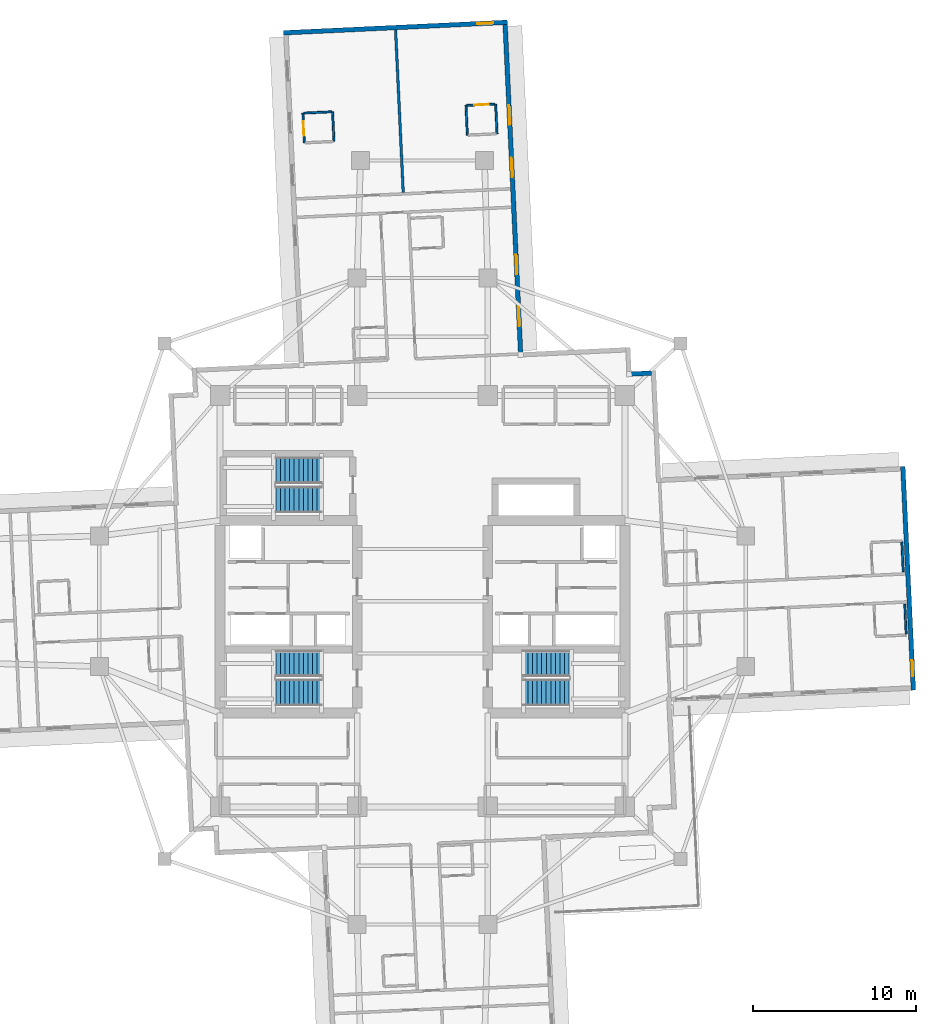
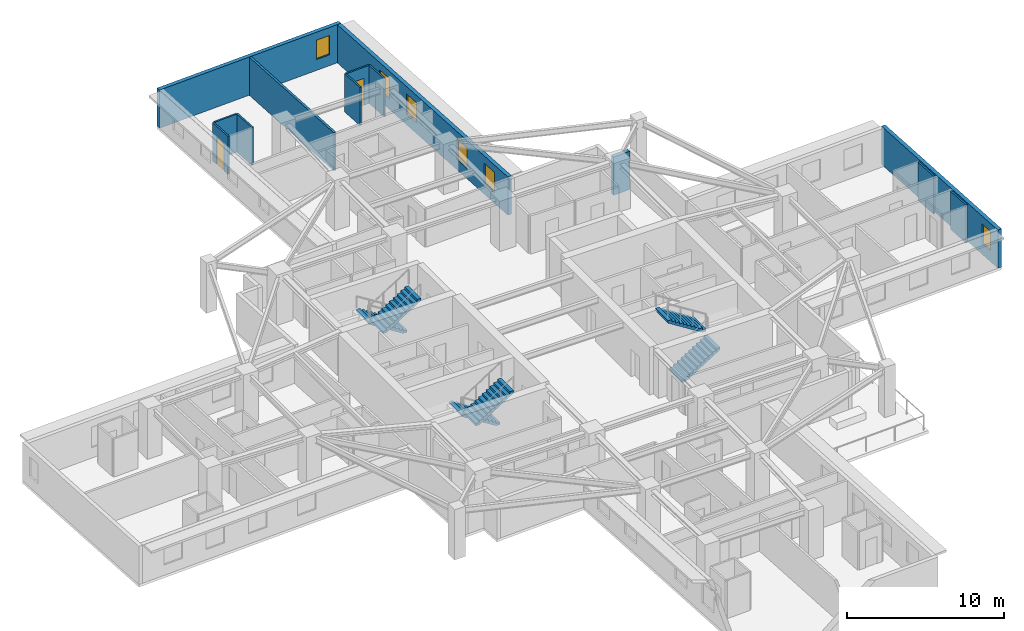
# One storey, part 9 of 14: 13 walls, 6 stair flights, 6 windows, 2 doors, 8 openings, 3 elements without a shape of their own.
"""IFC4 building model written with IfcOpenShell, lengths in metres."""

from ifc_helpers import new_model, si_unit, direction, frame, frame_2d, origin, place, context, subcontext, project, spatial, polyline, rectangle, outline, extrude, material, layer, layer_set, type_object, element, fill, aggregate, save


model = new_model("IFC4")

# Units and contexts
model_context = context("Model", 3, precision=1e-05, world=origin(), true_north=direction((0.0, 1.0)))
body_context = subcontext(model_context, "Body", "Model", "MODEL_VIEW")
ifc_project = project(units=[si_unit("LENGTHUNIT", "METRE"), si_unit("AREAUNIT", "SQUARE_METRE"), si_unit("VOLUMEUNIT", "CUBIC_METRE"), si_unit("PLANEANGLEUNIT", "RADIAN"), si_unit("MASSUNIT", "GRAM", prefix="KILO")], contexts=[model_context])

# Site, building, storey
site_placement = place(None, origin())
site = spatial("IfcSite", under=ifc_project, at=site_placement, CompositionType="ELEMENT")
building_placement = place(site_placement, origin())
building = spatial("IfcBuilding", under=site, at=building_placement, Name="Qingluan Cross Belvedere", CompositionType="ELEMENT")
storey_placement = place(building_placement, frame((0.0, 0.0, 116.39990234375)))
storey = spatial("IfcBuildingStorey", under=building, at=storey_placement, Name="L29", CompositionType="ELEMENT", Elevation=116.39990234375)

# Walls
ifc_material_1 = material(Name="Gypsum plasterboard on steel stud acoustic partition", Category="steel")
ifc_layer_1 = layer(ifc_material_1, 0.159912109375, Name="CorridorPartition_160")
ifc_layer_set_1 = layer_set([ifc_layer_1], Name="Gypsum plasterboard on steel stud acoustic partition")
wall_type_1 = type_object("IfcWallType", Name="CorridorPartition_160", PredefinedType="PARTITIONING", material=ifc_layer_set_1)
wall_1_placement = place(storey_placement, frame((-1.180908203125, 25.042236328125, 0.0), z_axis=(0.0, 0.0, 1.0), x_axis=(-0.047102889239, 0.99889004291, 0.0)))
element("IfcWall", 1, at=wall_1_placement, inside=storey, type_object=wall_type_1, Name="Partition L29:Ncap:mid", PredefinedType="PARTITIONING", context=body_context, shape_type="SweptSolid", body=[
    extrude(rectangle(XDim=9.9619140625, YDim=0.159912109375, at=frame_2d((4.98095703125, 0.0))), origin(), (0.0, 0.0, 1.0), 2.960205078125),
])
ifc_material_2 = material(Name="Moisture-resistant gypsum board lining")
ifc_layer_2 = layer(ifc_material_2, 0.1201171875, Name="EnsuiteWetPartition_120")
ifc_layer_set_2 = layer_set([ifc_layer_2], Name="Moisture-resistant gypsum board lining")
wall_type_2 = type_object("IfcWallType", Name="EnsuiteWetPartition_120", PredefinedType="PARTITIONING", material=ifc_layer_set_2)
wall_2_placement = place(storey_placement, frame((29.447509765625, 1.80908203125, 0.0), z_axis=(0.0, 0.0, 1.0), x_axis=(-0.047080807099, 0.998891083954, 0.0)))
element("IfcWall", 2, at=wall_2_placement, inside=storey, type_object=wall_type_2, Name="Partition L29:E:bw0_1", PredefinedType="PARTITIONING", context=body_context, shape_type="SweptSolid", body=[
    extrude(rectangle(XDim=1.820068359375, YDim=0.1201171875, at=frame_2d((0.91015625, 0.0))), origin(), (0.0, 0.0, 1.0), 2.960205078125),
])
wall_3_placement = place(storey_placement, frame((29.62744140625, -2.006591796875, 0.0), z_axis=(0.0, 0.0, 1.0), x_axis=(-0.047087116047, 0.998890786574, 0.0)))
element("IfcWall", 3, at=wall_3_placement, inside=storey, type_object=wall_type_2, Name="Partition L29:E:bw1_1", PredefinedType="PARTITIONING", context=body_context, shape_type="SweptSolid", body=[
    extrude(rectangle(XDim=1.81982421875, YDim=0.1201171875, at=frame_2d((0.909912109375, 0.0))), origin(), (0.0, 0.0, 1.0), 2.960205078125),
])

# Wall, opening, door
wall_4_placement = place(storey_placement, frame((-7.24072265625, 28.080078125, 0.0), z_axis=(0.0, 0.0, 1.0), x_axis=(-0.047080807099, 0.998891083954, 0.0)))
wall_4 = element("IfcWall", 4, at=wall_4_placement, inside=storey, type_object=wall_type_2, Name="Partition L29:Ncap:b1s", PredefinedType="PARTITIONING", context=body_context, shape_type="SweptSolid", body=[
    extrude(rectangle(XDim=1.820068359375, YDim=0.1201171875, at=frame_2d((0.91015625, 0.0))), origin(), (0.0, 0.0, 1.0), 2.960205078125),
])
opening_1_placement = place(wall_4_placement, frame((0.449951171875, 0.0, 0.0)))
opening_1 = element("IfcOpeningElement", 5, at=opening_1_placement, cuts=wall_4, Name="Opening BD-09", PredefinedType="OPENING", context=body_context, shape_type="SweptSolid", body=[
    extrude(rectangle(XDim=0.8798828125, YDim=2.10009765625, at=frame_2d((0.43994140625, 1.050048828125))), frame((0.0, 0.070068359375, 0.0), z_axis=(0.0, -1.0, 0.0), x_axis=(1.0, 0.0, 0.0)), (0.0, 0.0, 1.0), 0.14013671875),
])
ifc_material_3 = material(Name="Moisture-sealed timber en-suite door", Category="wood")
door_type = type_object("IfcDoorType", Name="BathroomDoor_880", OperationType="NOTDEFINED", PredefinedType="DOOR", material=ifc_material_3)
door_1_placement = place(opening_1_placement, origin())
door_1 = element("IfcDoor", 6, at=door_1_placement, inside=storey, type_object=door_type, Name="En-suite bathroom door L29N1", OperationType="SINGLE_SWING_RIGHT", OverallHeight=2.10009765625, OverallWidth=0.8798828125, PredefinedType="DOOR", context=body_context, shape_type="SweptSolid", body=[
    extrude(rectangle(XDim=0.8798828125, YDim=2.10009765625, at=frame_2d((0.43994140625, 1.050048828125))), frame((0.0, 0.02490234375, 0.0), z_axis=(0.0, -1.0, 0.0), x_axis=(1.0, 0.0, 0.0)), (0.0, 0.0, 1.0), 0.050048828125),
])
fill(opening_1, door_1)

# Walls
wall_5_placement = place(storey_placement, frame((-5.4228515625, 28.165771484375, 0.0), z_axis=(0.0, 0.0, 1.0), x_axis=(-0.047080807099, 0.998891083954, 0.0)))
element("IfcWall", 7, at=wall_5_placement, inside=storey, type_object=wall_type_2, Name="Partition L29:Ncap:b1b", PredefinedType="PARTITIONING", context=body_context, shape_type="SweptSolid", body=[
    extrude(rectangle(XDim=1.820068359375, YDim=0.1201171875, at=frame_2d((0.91015625, 0.0))), origin(), (0.0, 0.0, 1.0), 2.960205078125),
])
wall_6_placement = place(storey_placement, frame((-7.2666015625, 29.90087890625, 0.0), z_axis=(0.0, 0.0, 1.0), x_axis=(0.998889803826, 0.047107959116, 0.0)))
element("IfcWall", 8, at=wall_6_placement, inside=storey, type_object=wall_type_2, Name="Partition L29:Ncap:b1n", PredefinedType="PARTITIONING", context=body_context, shape_type="SweptSolid", body=[
    extrude(rectangle(XDim=1.699951171875, YDim=0.1201171875, at=frame_2d((0.85009765625, 0.0))), origin(), (0.0, 0.0, 1.0), 2.960205078125),
])
wall_7_placement = place(storey_placement, frame((2.748046875, 28.551025390625, 0.0), z_axis=(0.0, 0.0, 1.0), x_axis=(-0.047080807099, 0.998891083954, 0.0)))
element("IfcWall", 9, at=wall_7_placement, inside=storey, type_object=wall_type_2, Name="Partition L29:Ncap:b2s", PredefinedType="PARTITIONING", context=body_context, shape_type="SweptSolid", body=[
    extrude(rectangle(XDim=1.820068359375, YDim=0.1201171875, at=frame_2d((0.91015625, 0.0))), origin(), (0.0, 0.0, 1.0), 2.960205078125),
])
wall_8_placement = place(storey_placement, frame((4.566162109375, 28.636962890625, 0.0), z_axis=(0.0, 0.0, 1.0), x_axis=(-0.047087116047, 0.998890786574, 0.0)))
element("IfcWall", 10, at=wall_8_placement, inside=storey, type_object=wall_type_2, Name="Partition L29:Ncap:b2b", PredefinedType="PARTITIONING", context=body_context, shape_type="SweptSolid", body=[
    extrude(rectangle(XDim=1.81982421875, YDim=0.1201171875, at=frame_2d((0.909912109375, 0.0))), origin(), (0.0, 0.0, 1.0), 2.960205078125),
])

# Wall, opening, door
wall_9_placement = place(storey_placement, frame((2.722412109375, 30.3720703125, 0.0), z_axis=(0.0, 0.0, 1.0), x_axis=(0.998896551812, 0.046964654557, 0.0)))
wall_9 = element("IfcWall", 11, at=wall_9_placement, inside=storey, type_object=wall_type_2, Name="Partition L29:Ncap:b2n", PredefinedType="PARTITIONING", context=body_context, shape_type="SweptSolid", body=[
    extrude(rectangle(XDim=1.699951171875, YDim=0.1201171875, at=frame_2d((0.85009765625, 0.0))), origin(), (0.0, 0.0, 1.0), 2.960205078125),
])
opening_2_placement = place(wall_9_placement, frame((0.449951171875, 0.0, 0.0)))
opening_2 = element("IfcOpeningElement", 12, at=opening_2_placement, cuts=wall_9, Name="Opening BD-09", PredefinedType="OPENING", context=body_context, shape_type="SweptSolid", body=[
    extrude(rectangle(XDim=0.8798828125, YDim=2.10009765625, at=frame_2d((0.43994140625, 1.050048828125))), frame((0.0, 0.070068359375, 0.0), z_axis=(0.0, -1.0, 0.0), x_axis=(1.0, 0.0, 0.0)), (0.0, 0.0, 1.0), 0.14013671875),
])
door_2_placement = place(opening_2_placement, origin())
door_2 = element("IfcDoor", 13, at=door_2_placement, inside=storey, type_object=door_type, Name="En-suite bathroom door L29N2", OperationType="SINGLE_SWING_RIGHT", OverallHeight=2.10009765625, OverallWidth=0.8798828125, PredefinedType="DOOR", context=body_context, shape_type="SweptSolid", body=[
    extrude(rectangle(XDim=0.8798828125, YDim=2.10009765625, at=frame_2d((0.43994140625, 1.050048828125))), frame((0.0, 0.02490234375, 0.0), z_axis=(0.0, -1.0, 0.0), x_axis=(1.0, 0.0, 0.0)), (0.0, 0.0, 1.0), 0.050048828125),
])
fill(opening_2, door_2)

# Wall, opening, window
ifc_material_4 = material(Name="Precast concrete C45", Category="concrete")
ifc_layer_3 = layer(ifc_material_4, 0.280029296875, Name="PrecastFacadeWall_280")
ifc_layer_set_3 = layer_set([ifc_layer_3], Name="Precast concrete C45")
wall_type_3 = type_object("IfcWallType", Name="PrecastFacadeWall_280", PredefinedType="STANDARD", material=ifc_layer_set_3)
wall_10_placement = place(storey_placement, frame((30.070068359375, -5.44970703125, 0.0), z_axis=(0.0, 0.0, 1.0), x_axis=(-0.047101845086, 0.998890092147, 0.0)))
wall_10 = element("IfcWall", 14, at=wall_10_placement, inside=storey, type_object=wall_type_3, Name="Arm tip precast facade wall L29-E", PredefinedType="STANDARD", context=body_context, shape_type="SweptSolid", body=[
    extrude(rectangle(XDim=13.719970703125, YDim=0.280029296875, at=frame_2d((6.85986328125, 0.0))), origin(), (0.0, 0.0, 1.0), 2.97021484375),
])
opening_3_placement = place(wall_10_placement, frame((0.85009765625, 0.0, 0.85009765625)))
opening_3 = element("IfcOpeningElement", 15, at=opening_3_placement, cuts=wall_10, Name="Opening W-03", PredefinedType="OPENING", context=body_context, shape_type="SweptSolid", body=[
    extrude(rectangle(XDim=1.0, YDim=1.5, at=frame_2d((0.5, 0.75))), frame((0.0, 0.14990234375, 0.0), z_axis=(0.0, -1.0, 0.0), x_axis=(1.0, 0.0, 0.0)), (0.0, 0.0, 1.0), 0.300048828125),
])
ifc_material_5 = material(Name="Thermally broken triple Low-E glass in aluminium frame", Category="aluminium")
window_type_1 = type_object("IfcWindowType", Name="TriApexWin_1000x1500", PartitioningType="SINGLE_PANEL", PredefinedType="WINDOW", material=ifc_material_5)
window_1_placement = place(opening_3_placement, origin())
window_1 = element("IfcWindow", 16, at=window_1_placement, inside=storey, type_object=window_type_1, Name="Arm tip triangular window L29-E", OverallHeight=1.5, OverallWidth=1.0, PartitioningType="SINGLE_PANEL", PredefinedType="WINDOW", context=body_context, shape_type="SweptSolid", body=[
    extrude(rectangle(XDim=1.0, YDim=1.5, at=frame_2d((0.5, 0.75))), frame((0.0, 0.030029296875, 0.0), z_axis=(0.0, -1.0, 0.0), x_axis=(1.0, 0.0, 0.0)), (0.0, 0.0, 1.0), 0.06005859375),
])
fill(opening_3, window_1)

# Wall, openings, windows
wall_11_placement = place(storey_placement, frame((6.0087890625, 15.239990234375, 0.0), z_axis=(0.0, 0.0, 1.0), x_axis=(-0.047103473814, 0.998890015344, 0.0)))
wall_11 = element("IfcWall", 17, at=wall_11_placement, inside=storey, type_object=wall_type_3, Name="Facade wall L29-NA", PredefinedType="STANDARD", context=body_context, shape_type="SweptSolid", body=[
    extrude(rectangle(XDim=20.099853515625, YDim=0.280029296875, at=frame_2d((10.0498046875, 0.0))), origin(), (0.0, 0.0, 1.0), 2.97021484375),
])
opening_4_placement = place(wall_11_placement, frame((1.60009765625, 0.0, 0.800048828125)))
opening_4 = element("IfcOpeningElement", 18, at=opening_4_placement, cuts=wall_11, Name="Opening W-02", PredefinedType="OPENING", context=body_context, shape_type="SweptSolid", body=[
    extrude(rectangle(XDim=1.199951171875, YDim=1.60009765625, at=frame_2d((0.60009765625, 0.800048828125))), frame((0.0, 0.14990234375, 0.0), z_axis=(0.0, -1.0, 0.0), x_axis=(1.0, 0.0, 0.0)), (0.0, 0.0, 1.0), 0.300048828125),
])
opening_5_placement = place(wall_11_placement, frame((4.800048828125, 0.0, 0.800048828125)))
opening_5 = element("IfcOpeningElement", 19, at=opening_5_placement, cuts=wall_11, Name="Opening W-02", PredefinedType="OPENING", context=body_context, shape_type="SweptSolid", body=[
    extrude(rectangle(XDim=1.199951171875, YDim=1.60009765625, at=frame_2d((0.60009765625, 0.800048828125))), frame((0.0, 0.14990234375, 0.0), z_axis=(0.0, -1.0, 0.0), x_axis=(1.0, 0.0, 0.0)), (0.0, 0.0, 1.0), 0.300048828125),
])
opening_6_placement = place(wall_11_placement, frame((10.75, 0.0, 0.800048828125)))
opening_6 = element("IfcOpeningElement", 20, at=opening_6_placement, cuts=wall_11, Name="Opening W-02", PredefinedType="OPENING", context=body_context, shape_type="SweptSolid", body=[
    extrude(rectangle(XDim=1.199951171875, YDim=1.60009765625, at=frame_2d((0.60009765625, 0.800048828125))), frame((0.0, 0.14990234375, 0.0), z_axis=(0.0, -1.0, 0.0), x_axis=(1.0, 0.0, 0.0)), (0.0, 0.0, 1.0), 0.300048828125),
])
opening_7_placement = place(wall_11_placement, frame((13.949951171875, 0.0, 0.800048828125)))
opening_7 = element("IfcOpeningElement", 21, at=opening_7_placement, cuts=wall_11, Name="Opening W-02", PredefinedType="OPENING", context=body_context, shape_type="SweptSolid", body=[
    extrude(rectangle(XDim=1.199951171875, YDim=1.60009765625, at=frame_2d((0.60009765625, 0.800048828125))), frame((0.0, 0.14990234375, 0.0), z_axis=(0.0, -1.0, 0.0), x_axis=(1.0, 0.0, 0.0)), (0.0, 0.0, 1.0), 0.300048828125),
])
ifc_material_6 = material(Name="Thermally broken triple Low-E glass in aluminium frame", Category="aluminium")
window_type_2 = type_object("IfcWindowType", Name="TriRibbonWin_1200x1600", PartitioningType="SINGLE_PANEL", PredefinedType="WINDOW", material=ifc_material_6)
window_2_placement = place(opening_4_placement, origin())
window_2 = element("IfcWindow", 22, at=window_2_placement, inside=storey, type_object=window_type_2, Name="Ribbon window L29-NA-1", OverallHeight=1.60009765625, OverallWidth=1.199951171875, PartitioningType="SINGLE_PANEL", PredefinedType="WINDOW", context=body_context, shape_type="SweptSolid", body=[
    extrude(rectangle(XDim=1.199951171875, YDim=1.60009765625, at=frame_2d((0.60009765625, 0.800048828125))), frame((0.0, 0.030029296875, 0.0), z_axis=(0.0, -1.0, 0.0), x_axis=(1.0, 0.0, 0.0)), (0.0, 0.0, 1.0), 0.06005859375),
])
fill(opening_4, window_2)
window_3_placement = place(opening_5_placement, origin())
window_3 = element("IfcWindow", 23, at=window_3_placement, inside=storey, type_object=window_type_2, Name="Ribbon window L29-NA-2", OverallHeight=1.60009765625, OverallWidth=1.199951171875, PartitioningType="SINGLE_PANEL", PredefinedType="WINDOW", context=body_context, shape_type="SweptSolid", body=[
    extrude(rectangle(XDim=1.199951171875, YDim=1.60009765625, at=frame_2d((0.60009765625, 0.800048828125))), frame((0.0, 0.030029296875, 0.0), z_axis=(0.0, -1.0, 0.0), x_axis=(1.0, 0.0, 0.0)), (0.0, 0.0, 1.0), 0.06005859375),
])
fill(opening_5, window_3)
window_4_placement = place(opening_6_placement, origin())
window_4 = element("IfcWindow", 24, at=window_4_placement, inside=storey, type_object=window_type_2, Name="Ribbon window L29-NA-3", OverallHeight=1.60009765625, OverallWidth=1.199951171875, PartitioningType="SINGLE_PANEL", PredefinedType="WINDOW", context=body_context, shape_type="SweptSolid", body=[
    extrude(rectangle(XDim=1.199951171875, YDim=1.60009765625, at=frame_2d((0.60009765625, 0.800048828125))), frame((0.0, 0.030029296875, 0.0), z_axis=(0.0, -1.0, 0.0), x_axis=(1.0, 0.0, 0.0)), (0.0, 0.0, 1.0), 0.06005859375),
])
fill(opening_6, window_4)
window_5_placement = place(opening_7_placement, origin())
window_5 = element("IfcWindow", 25, at=window_5_placement, inside=storey, type_object=window_type_2, Name="Ribbon window L29-NA-4", OverallHeight=1.60009765625, OverallWidth=1.199951171875, PartitioningType="SINGLE_PANEL", PredefinedType="WINDOW", context=body_context, shape_type="SweptSolid", body=[
    extrude(rectangle(XDim=1.199951171875, YDim=1.60009765625, at=frame_2d((0.60009765625, 0.800048828125))), frame((0.0, 0.030029296875, 0.0), z_axis=(0.0, -1.0, 0.0), x_axis=(1.0, 0.0, 0.0)), (0.0, 0.0, 1.0), 0.06005859375),
])
fill(opening_7, window_5)

# Wall, opening, window
wall_12_placement = place(storey_placement, frame((5.1953125, 35.464111328125, 0.0), z_axis=(0.0, 0.0, 1.0), x_axis=(-0.998890092147, -0.047101845086, 0.0)))
wall_12 = element("IfcWall", 26, at=wall_12_placement, inside=storey, type_object=wall_type_3, Name="Arm tip precast facade wall L29-N", PredefinedType="STANDARD", context=body_context, shape_type="SweptSolid", body=[
    extrude(rectangle(XDim=13.719970703125, YDim=0.280029296875, at=frame_2d((6.85986328125, 0.0))), origin(), (0.0, 0.0, 1.0), 2.97021484375),
])
opening_8_placement = place(wall_12_placement, frame((0.85009765625, 0.0, 0.85009765625)))
opening_8 = element("IfcOpeningElement", 27, at=opening_8_placement, cuts=wall_12, Name="Opening W-03", PredefinedType="OPENING", context=body_context, shape_type="SweptSolid", body=[
    extrude(rectangle(XDim=1.0, YDim=1.5, at=frame_2d((0.5, 0.75))), frame((0.0, 0.14990234375, 0.0), z_axis=(0.0, -1.0, 0.0), x_axis=(1.0, 0.0, 0.0)), (0.0, 0.0, 1.0), 0.300048828125),
])
window_6_placement = place(opening_8_placement, origin())
window_6 = element("IfcWindow", 28, at=window_6_placement, inside=storey, type_object=window_type_1, Name="Arm tip triangular window L29-N", OverallHeight=1.5, OverallWidth=1.0, PartitioningType="SINGLE_PANEL", PredefinedType="WINDOW", context=body_context, shape_type="SweptSolid", body=[
    extrude(rectangle(XDim=1.0, YDim=1.5, at=frame_2d((0.5, 0.75))), frame((0.0, 0.030029296875, 0.0), z_axis=(0.0, -1.0, 0.0), x_axis=(1.0, 0.0, 0.0)), (0.0, 0.0, 1.0), 0.06005859375),
])
fill(opening_8, window_6)

# Wall
wall_13_placement = place(storey_placement, frame((14.01708984375, 13.975830078125, 0.0), z_axis=(0.0, 0.0, 1.0), x_axis=(-0.998883930236, -0.047232339719, 0.0)))
element("IfcWall", 29, at=wall_13_placement, inside=storey, type_object=wall_type_3, Name="Corner wall L29-NE2", PredefinedType="STANDARD", context=body_context, shape_type="SweptSolid", body=[
    extrude(rectangle(XDim=1.219970703125, YDim=0.280029296875, at=frame_2d((0.60986328125, 0.0))), origin(), (0.0, 0.0, 1.0), 2.97021484375),
])

# Stair, stair flights
ifc_material_7 = material(Name="Concrete C40", Category="concrete")
stair_type = type_object("IfcStairType", Name="CoreDoglegStair_1620", PredefinedType="HALF_TURN_STAIR", material=ifc_material_7)
stair_1_placement = place(storey_placement, origin())
stair_1 = element("IfcStair", 30, at=stair_1_placement, inside=storey, type_object=stair_type, Name="L29 ST1", PredefinedType="HALF_TURN_STAIR")
ifc_material_8 = material(Name="Concrete C40", Category="concrete")
ifc_layer_4 = layer(ifc_material_8, 0.179931640625, Name="StairFlight_RC180")
ifc_layer_set_4 = layer_set([ifc_layer_4], Name="Concrete C40")
stair_flight_type = type_object("IfcStairFlightType", Name="StairFlight_RC180", PredefinedType="STRAIGHT", material=ifc_layer_set_4)
stair_flight_1_placement = place(storey_placement, frame((-6.179931640625, -3.81005859375, 0.0), z_axis=(0.0, 0.0, 1.0), x_axis=(-1.0, 0.0, 0.0)))
stair_flight_1 = element("IfcStairFlight", 31, at=stair_flight_1_placement, type_object=stair_flight_type, Name="ST1 flight 1", NumberOfRisers=11, NumberOfTreads=10, PredefinedType="STRAIGHT", RiserHeight=0.177272727, TreadLength=0.28, context=body_context, shape_type="SweptSolid", body=[
    extrude(outline(polyline([(0.0, 0.0), (0.0, 0.17724609375), (0.280029296875, 0.17724609375), (0.280029296875, 0.3544921875), (0.56005859375, 0.3544921875), (0.56005859375, 0.53173828125), (0.840087890625, 0.53173828125), (0.840087890625, 0.708984375), (1.1201171875, 0.708984375), (1.1201171875, 0.886474609375), (1.39990234375, 0.886474609375), (1.39990234375, 1.063720703125), (1.679931640625, 1.063720703125), (1.679931640625, 1.240966796875), (1.9599609375, 1.240966796875), (1.9599609375, 1.418212890625), (2.239990234375, 1.418212890625), (2.239990234375, 1.595458984375), (2.52001953125, 1.595458984375), (2.52001953125, 1.772705078125), (2.800048828125, 1.772705078125), (2.800048828125, 1.949951171875), (2.800048828125, 1.59521484375), (0.2802734375, 0.0), (0.0, 0.0)])), frame((0.0, 0.81005859375, 0.0), z_axis=(0.0, -1.0, 0.0), x_axis=(1.0, 0.0, 0.0)), (0.0, 0.0, 1.0), 1.6201171875),
])
stair_flight_2_placement = place(storey_placement, frame((-8.97998046875, -5.590087890625, 1.9501953125), z_axis=(0.0, 0.0, 1.0), x_axis=(1.0, 0.0, 0.0)))
stair_flight_2 = element("IfcStairFlight", 32, at=stair_flight_2_placement, type_object=stair_flight_type, Name="ST1 flight 2", NumberOfRisers=11, NumberOfTreads=10, PredefinedType="STRAIGHT", RiserHeight=0.177272727, TreadLength=0.28, context=body_context, shape_type="SweptSolid", body=[
    extrude(outline(polyline([(0.0, 0.0), (0.0, 0.17724609375), (0.280029296875, 0.17724609375), (0.280029296875, 0.3544921875), (0.56005859375, 0.3544921875), (0.56005859375, 0.53173828125), (0.840087890625, 0.53173828125), (0.840087890625, 0.708984375), (1.1201171875, 0.708984375), (1.1201171875, 0.886474609375), (1.39990234375, 0.886474609375), (1.39990234375, 1.063720703125), (1.679931640625, 1.063720703125), (1.679931640625, 1.240966796875), (1.9599609375, 1.240966796875), (1.9599609375, 1.418212890625), (2.239990234375, 1.418212890625), (2.239990234375, 1.595458984375), (2.52001953125, 1.595458984375), (2.52001953125, 1.772705078125), (2.800048828125, 1.772705078125), (2.800048828125, 1.949951171875), (2.800048828125, 1.59521484375), (0.2802734375, 0.0), (0.0, 0.0)])), frame((0.0, 0.81005859375, 0.0), z_axis=(0.0, -1.0, 0.0), x_axis=(1.0, 0.0, 0.0)), (0.0, 0.0, 1.0), 1.6201171875),
])
aggregate(stair_1, [stair_flight_1, stair_flight_2])

stair_2_placement = place(storey_placement, origin())
stair_2 = element("IfcStair", 33, at=stair_2_placement, inside=storey, type_object=stair_type, Name="L29 ST2", PredefinedType="HALF_TURN_STAIR")
stair_flight_3_placement = place(storey_placement, frame((6.179931640625, -5.590087890625, 0.0), z_axis=(0.0, 0.0, 1.0), x_axis=(1.0, 0.0, 0.0)))
stair_flight_3 = element("IfcStairFlight", 34, at=stair_flight_3_placement, type_object=stair_flight_type, Name="ST2 flight 1", NumberOfRisers=11, NumberOfTreads=10, PredefinedType="STRAIGHT", RiserHeight=0.177272727, TreadLength=0.28, context=body_context, shape_type="SweptSolid", body=[
    extrude(outline(polyline([(0.0, 0.0), (0.0, 0.17724609375), (0.280029296875, 0.17724609375), (0.280029296875, 0.3544921875), (0.56005859375, 0.3544921875), (0.56005859375, 0.53173828125), (0.840087890625, 0.53173828125), (0.840087890625, 0.708984375), (1.1201171875, 0.708984375), (1.1201171875, 0.886474609375), (1.39990234375, 0.886474609375), (1.39990234375, 1.063720703125), (1.679931640625, 1.063720703125), (1.679931640625, 1.240966796875), (1.9599609375, 1.240966796875), (1.9599609375, 1.418212890625), (2.239990234375, 1.418212890625), (2.239990234375, 1.595458984375), (2.52001953125, 1.595458984375), (2.52001953125, 1.772705078125), (2.800048828125, 1.772705078125), (2.800048828125, 1.949951171875), (2.800048828125, 1.59521484375), (0.2802734375, 0.0), (0.0, 0.0)])), frame((0.0, 0.81005859375, 0.0), z_axis=(0.0, -1.0, 0.0), x_axis=(1.0, 0.0, 0.0)), (0.0, 0.0, 1.0), 1.6201171875),
])
stair_flight_4_placement = place(storey_placement, frame((8.97998046875, -3.81005859375, 1.9501953125), z_axis=(0.0, 0.0, 1.0), x_axis=(-1.0, 0.0, 0.0)))
stair_flight_4 = element("IfcStairFlight", 35, at=stair_flight_4_placement, type_object=stair_flight_type, Name="ST2 flight 2", NumberOfRisers=11, NumberOfTreads=10, PredefinedType="STRAIGHT", RiserHeight=0.177272727, TreadLength=0.28, context=body_context, shape_type="SweptSolid", body=[
    extrude(outline(polyline([(0.0, 0.0), (0.0, 0.17724609375), (0.280029296875, 0.17724609375), (0.280029296875, 0.3544921875), (0.56005859375, 0.3544921875), (0.56005859375, 0.53173828125), (0.840087890625, 0.53173828125), (0.840087890625, 0.708984375), (1.1201171875, 0.708984375), (1.1201171875, 0.886474609375), (1.39990234375, 0.886474609375), (1.39990234375, 1.063720703125), (1.679931640625, 1.063720703125), (1.679931640625, 1.240966796875), (1.9599609375, 1.240966796875), (1.9599609375, 1.418212890625), (2.239990234375, 1.418212890625), (2.239990234375, 1.595458984375), (2.52001953125, 1.595458984375), (2.52001953125, 1.772705078125), (2.800048828125, 1.772705078125), (2.800048828125, 1.949951171875), (2.800048828125, 1.59521484375), (0.2802734375, 0.0), (0.0, 0.0)])), frame((0.0, 0.81005859375, 0.0), z_axis=(0.0, -1.0, 0.0), x_axis=(1.0, 0.0, 0.0)), (0.0, 0.0, 1.0), 1.6201171875),
])
aggregate(stair_2, [stair_flight_3, stair_flight_4])

stair_3_placement = place(storey_placement, origin())
stair_3 = element("IfcStair", 36, at=stair_3_placement, inside=storey, type_object=stair_type, Name="L29 ST3", PredefinedType="HALF_TURN_STAIR")
stair_flight_5_placement = place(storey_placement, frame((-6.179931640625, 8.010009765625, 0.0), z_axis=(0.0, 0.0, 1.0), x_axis=(-1.0, 0.0, 0.0)))
stair_flight_5 = element("IfcStairFlight", 37, at=stair_flight_5_placement, type_object=stair_flight_type, Name="ST3 flight 1", NumberOfRisers=11, NumberOfTreads=10, PredefinedType="STRAIGHT", RiserHeight=0.177272727, TreadLength=0.28, context=body_context, shape_type="SweptSolid", body=[
    extrude(outline(polyline([(0.0, 0.0), (0.0, 0.17724609375), (0.280029296875, 0.17724609375), (0.280029296875, 0.3544921875), (0.56005859375, 0.3544921875), (0.56005859375, 0.53173828125), (0.840087890625, 0.53173828125), (0.840087890625, 0.708984375), (1.1201171875, 0.708984375), (1.1201171875, 0.886474609375), (1.39990234375, 0.886474609375), (1.39990234375, 1.063720703125), (1.679931640625, 1.063720703125), (1.679931640625, 1.240966796875), (1.9599609375, 1.240966796875), (1.9599609375, 1.418212890625), (2.239990234375, 1.418212890625), (2.239990234375, 1.595458984375), (2.52001953125, 1.595458984375), (2.52001953125, 1.772705078125), (2.800048828125, 1.772705078125), (2.800048828125, 1.949951171875), (2.800048828125, 1.59521484375), (0.2802734375, 0.0), (0.0, 0.0)])), frame((0.0, 0.81005859375, 0.0), z_axis=(0.0, -1.0, 0.0), x_axis=(1.0, 0.0, 0.0)), (0.0, 0.0, 1.0), 1.6201171875),
])
stair_flight_6_placement = place(storey_placement, frame((-8.97998046875, 6.22998046875, 1.9501953125), z_axis=(0.0, 0.0, 1.0), x_axis=(1.0, 0.0, 0.0)))
stair_flight_6 = element("IfcStairFlight", 38, at=stair_flight_6_placement, type_object=stair_flight_type, Name="ST3 flight 2", NumberOfRisers=11, NumberOfTreads=10, PredefinedType="STRAIGHT", RiserHeight=0.177272727, TreadLength=0.28, context=body_context, shape_type="SweptSolid", body=[
    extrude(outline(polyline([(0.0, 0.0), (0.0, 0.17724609375), (0.280029296875, 0.17724609375), (0.280029296875, 0.3544921875), (0.56005859375, 0.3544921875), (0.56005859375, 0.53173828125), (0.840087890625, 0.53173828125), (0.840087890625, 0.708984375), (1.1201171875, 0.708984375), (1.1201171875, 0.886474609375), (1.39990234375, 0.886474609375), (1.39990234375, 1.063720703125), (1.679931640625, 1.063720703125), (1.679931640625, 1.240966796875), (1.9599609375, 1.240966796875), (1.9599609375, 1.418212890625), (2.239990234375, 1.418212890625), (2.239990234375, 1.595458984375), (2.52001953125, 1.595458984375), (2.52001953125, 1.772705078125), (2.800048828125, 1.772705078125), (2.800048828125, 1.949951171875), (2.800048828125, 1.59521484375), (0.2802734375, 0.0), (0.0, 0.0)])), frame((0.0, 0.81005859375, 0.0), z_axis=(0.0, -1.0, 0.0), x_axis=(1.0, 0.0, 0.0)), (0.0, 0.0, 1.0), 1.6201171875),
])
aggregate(stair_3, [stair_flight_5, stair_flight_6])

save(model, "model.ifc")
